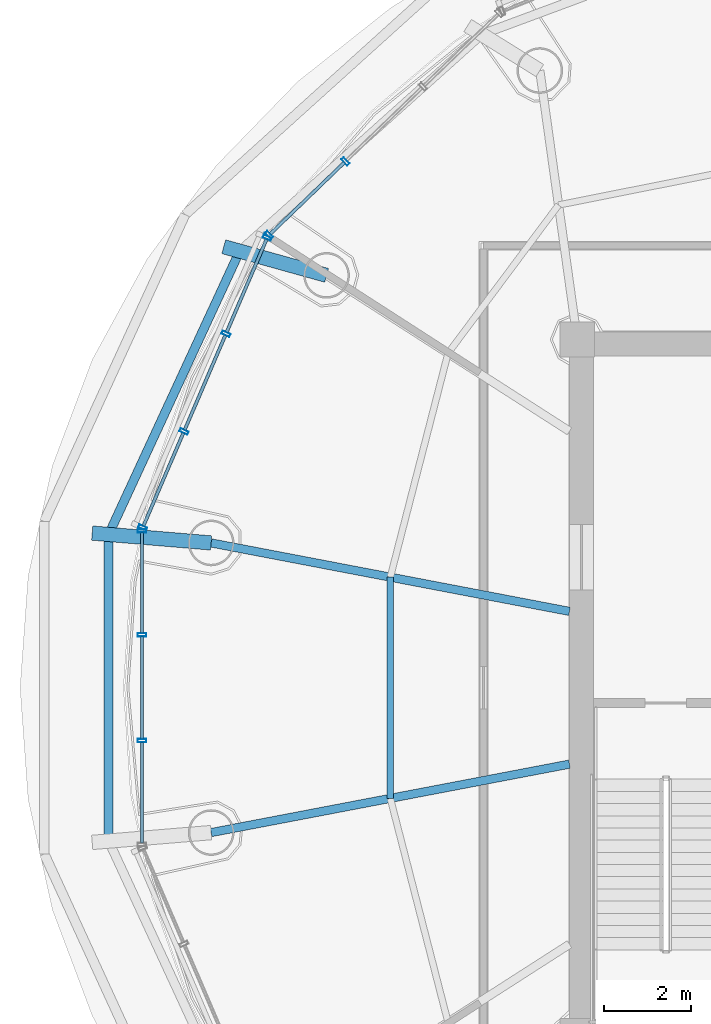
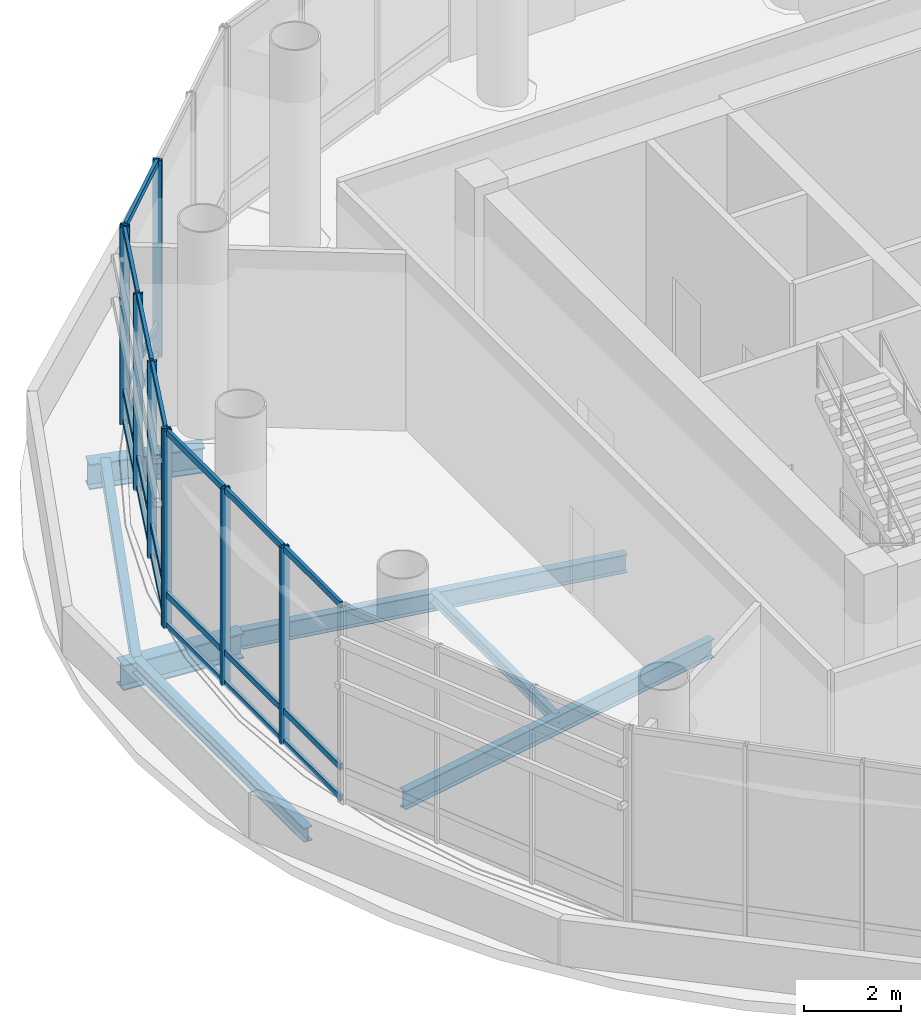
# One storey, part 6 of 22: 30 members, 7 beams, 3 elements without a shape of their own.
"""IFC4 building model written with IfcOpenShell, lengths in metres."""

from ifc_helpers import new_model, si_unit, direction, frame, origin, origin_2d, place, context, subcontext, project, spatial, hollow_rectangle, i_section, extrude, source, transform, mapped, material, material_profile, profile_set, type_object, element, aggregate, save


model = new_model("IFC4")

# Units and contexts
model_context = context("Model", 3, precision=1e-05, world=origin(), true_north=direction((-0.2419218956, 0.970295726276)))
body_context = subcontext(model_context, "Body", "Model", "MODEL_VIEW")
ifc_project = project(units=[si_unit("LENGTHUNIT", "METRE"), si_unit("AREAUNIT", "SQUARE_METRE"), si_unit("VOLUMEUNIT", "CUBIC_METRE"), si_unit("PLANEANGLEUNIT", "RADIAN"), si_unit("MASSUNIT", "GRAM", prefix="KILO")], contexts=[model_context])

# Site, building, storey
site_placement = place(None, origin())
site = spatial("IfcSite", under=ifc_project, at=site_placement, CompositionType="ELEMENT")
building_placement = place(site_placement, origin())
building = spatial("IfcBuilding", under=site, at=building_placement, Name="Cobrevalo Terracotta Tower", CompositionType="ELEMENT")
storey_placement = place(building_placement, frame((0.0, 0.0, 243.0)))
storey = spatial("IfcBuildingStorey", under=building, at=storey_placement, Name="L64", CompositionType="ELEMENT", Elevation=243.0)

# Beams
ifc_material_1 = material(Name="Steel S355", Category="steel")
ifc_material_profile_1 = material_profile(ifc_material_1, i_section(OverallWidth=0.19091796875, OverallDepth=0.4599609375, WebThickness=0.010009765625, FlangeThickness=0.01611328125, at=origin_2d()), Name="W 460x82")
ifc_profile_set_1 = profile_set([ifc_material_profile_1], Name="Steel S355")
beam_type_1 = type_object("IfcBeamType", Name="Structural Beam W 460x82 (Steel S355)", PredefinedType="BEAM", material=ifc_profile_set_1)
for number, where, z_axis, x_axis, name in (
    (1, (20.591064453125, 30.126220703125, -0.679931640625), (0.982232301454, -0.18766913966, 0.0), (0.18766913966, 0.982232301454, 0.0), "L64 radial floor girder 08"),
    (2, (20.591064453125, 23.4736328125, -0.679931640625), (0.982232301454, 0.18766913966, 0.0), (-0.18766913966, 0.982232301454, 0.0), "L64 radial floor girder 09"),
):
    element("IfcBeam", number, at=place(storey_placement, frame(where, z_axis=z_axis, x_axis=x_axis)), inside=storey, type_object=beam_type_1, Name=name, PredefinedType="BEAM", context=body_context, shape_type="SweptSolid", body=[
        extrude(i_section(OverallWidth=0.19091796875, OverallDepth=0.4599609375, WebThickness=0.010009765625, FlangeThickness=0.01611328125, at=origin_2d()), origin(), (0.0, 0.0, 1.0), 8.3779296875),
    ])
ifc_material_profile_2 = material_profile(ifc_material_1, i_section(OverallWidth=0.3291015625, OverallDepth=0.635009765625, WebThickness=0.017822265625, FlangeThickness=0.031005859375, at=origin_2d()), Name="W 610x241")
ifc_profile_set_2 = profile_set([ifc_material_profile_2], Name="Steel S355")
beam_type_2 = type_object("IfcBeamType", Name="Structural Beam W 610x241 (Steel S355)", PredefinedType="BEAM", material=ifc_profile_set_2)
beam_1_placement = place(storey_placement, frame((20.8798828125, 36.929931640625, -0.767578125), z_axis=(0.963362222212, -0.268203707683, 0.0), x_axis=(0.268203707683, 0.963362222212, 0.0)))
element("IfcBeam", 3, at=beam_1_placement, inside=storey, type_object=beam_type_2, Name="L64 setback step-link girder 07", PredefinedType="BEAM", context=body_context, shape_type="SweptSolid", body=[
    extrude(i_section(OverallWidth=0.3291015625, OverallDepth=0.635009765625, WebThickness=0.017822265625, FlangeThickness=0.031005859375, at=origin_2d()), origin(), (0.0, 0.0, 1.0), 2.451416015625),
])
beam_2_placement = place(storey_placement, frame((17.8583984375, 30.352783203125, -0.767578125), z_axis=(0.996580670121, -0.08262546787, 0.0), x_axis=(0.08262546787, 0.996580670121, 0.0)))
element("IfcBeam", 4, at=beam_2_placement, inside=storey, type_object=beam_type_2, Name="L64 setback step-link girder 08", PredefinedType="BEAM", context=body_context, shape_type="SweptSolid", body=[
    extrude(i_section(OverallWidth=0.3291015625, OverallDepth=0.635009765625, WebThickness=0.017822265625, FlangeThickness=0.031005859375, at=origin_2d()), origin(), (0.0, 0.0, 1.0), 2.741943359375),
])
ifc_material_profile_3 = material_profile(ifc_material_1, i_section(OverallWidth=0.14794921875, OverallDepth=0.26611328125, WebThickness=0.007568359375, FlangeThickness=0.012939453125, at=origin_2d()), Name="W 250x44.8")
ifc_profile_set_3 = profile_set([ifc_material_profile_3], Name="Steel S355")
beam_type_3 = type_object("IfcBeamType", Name="Structural Joist W 250x44.8 (Steel S355)", PredefinedType="JOIST", material=ifc_profile_set_3)
beam_3_placement = place(storey_placement, frame((24.70556640625, 29.340087890625, -0.5830078125), z_axis=(0.0, -1.0, 0.0), x_axis=(1.0, 0.0, 0.0)))
element("IfcBeam", 5, at=beam_3_placement, inside=storey, type_object=beam_type_3, Name="L64 circumferential secondary floor joist 08", PredefinedType="JOIST", context=body_context, shape_type="SweptSolid", body=[
    extrude(i_section(OverallWidth=0.14794921875, OverallDepth=0.26611328125, WebThickness=0.007568359375, FlangeThickness=0.012939453125, at=origin_2d()), origin(), (0.0, 0.0, 1.0), 5.080322265625),
])
ifc_material_profile_4 = material_profile(ifc_material_1, i_section(OverallWidth=0.205078125, OverallDepth=0.35400390625, WebThickness=0.009521484375, FlangeThickness=0.016845703125, at=origin_2d()), Name="W 360x79")
ifc_profile_set_4 = profile_set([ifc_material_profile_4], Name="Steel S355")
beam_type_4 = type_object("IfcBeamType", Name="Structural Spandrel W 360x79 (Steel S355)", PredefinedType="SPANDREL", material=ifc_profile_set_4)
beam_4_placement = place(storey_placement, frame((21.245849609375, 36.828125, -0.626953125), z_axis=(-0.419705965131, -0.907660125176, 0.0), x_axis=(0.907660125176, -0.419705965131, 0.0)))
element("IfcBeam", 6, at=beam_4_placement, inside=storey, type_object=beam_type_4, Name="L64 perimeter ring spandrel 07", PredefinedType="SPANDREL", context=body_context, shape_type="SweptSolid", body=[
    extrude(i_section(OverallWidth=0.205078125, OverallDepth=0.35400390625, WebThickness=0.009521484375, FlangeThickness=0.016845703125, at=origin_2d()), origin(), (0.0, 0.0, 1.0), 7.168701171875),
])
beam_5_placement = place(storey_placement, frame((18.237060546875, 30.3212890625, -0.626953125), z_axis=(0.0, -1.0, 0.0), x_axis=(1.0, 0.0, 0.0)))
element("IfcBeam", 7, at=beam_5_placement, inside=storey, type_object=beam_type_4, Name="L64 perimeter ring spandrel 08", PredefinedType="SPANDREL", context=body_context, shape_type="SweptSolid", body=[
    extrude(i_section(OverallWidth=0.205078125, OverallDepth=0.35400390625, WebThickness=0.009521484375, FlangeThickness=0.016845703125, at=origin_2d()), origin(), (0.0, 0.0, 1.0), 7.042724609375),
])

# Curtain wall, members
ifc_material_2 = material(Name="Anodized aluminium", Category="aluminium")
curtain_wall_type = type_object("IfcCurtainWallType", Name="Double-height sky-lobby panoramic curtain wall CW-SK", PredefinedType="NOTDEFINED", material=ifc_material_2)
curtain_wall_1_placement = place(storey_placement, origin())
curtain_wall_1 = element("IfcCurtainWall", 8, at=curtain_wall_1_placement, inside=storey, type_object=curtain_wall_type, Name="L64 curtain wall CW-SK-L64-S06", PredefinedType="NOTDEFINED")
ifc_material_profile_5 = material_profile(ifc_material_2, hollow_rectangle(XDim=0.074951171875, YDim=0.199951171875, WallThickness=0.0048828125, at=origin_2d()), Name="CWM 75x200")
ifc_profile_set_5 = profile_set([ifc_material_profile_5], Name="Anodized aluminium")
member_type_1 = type_object("IfcMemberType", Name="Lower/mid tower unitised mullion 75x200", PredefinedType="MULLION", material=ifc_profile_set_5)
shared_shape_1 = source(origin(), body_context, "Body", "SweptSolid", [
    extrude(hollow_rectangle(XDim=0.074951171875, YDim=0.199951171875, WallThickness=0.0048828125, at=origin_2d()), origin(), (0.0, 0.0, 1.0), 4.93994140625),
])
member_1_placement = place(storey_placement, frame((23.67578125, 38.889404296875, 0.0), z_axis=(0.0, 0.0, 1.0), x_axis=(-0.71999418085, -0.69398010025, 0.0)))
member_1 = element("IfcMember", 9, at=member_1_placement, type_object=member_type_1, Name="CW-SK-L64-S06 vertical mullion 03", PredefinedType="MULLION", context=body_context, shape_type="MappedRepresentation", body=[
    mapped(shared_shape_1, transform((0.0, 0.0, 0.0), scale=1.0)),
])
member_2_placement = place(storey_placement, frame((21.92333984375, 37.2001953125, 0.0), z_axis=(0.0, 0.0, 1.0), x_axis=(-0.71999418085, -0.69398010025, 0.0)))
member_2 = element("IfcMember", 10, at=member_2_placement, type_object=member_type_1, Name="CW-SK-L64-S06 vertical mullion 04", PredefinedType="MULLION", context=body_context, shape_type="MappedRepresentation", body=[
    mapped(shared_shape_1, transform((0.0, 0.0, 0.0), scale=1.0)),
])

curtain_wall_2_placement = place(storey_placement, origin())
curtain_wall_2 = element("IfcCurtainWall", 11, at=curtain_wall_2_placement, inside=storey, type_object=curtain_wall_type, Name="L64 curtain wall CW-SK-L64-S07", PredefinedType="NOTDEFINED")
member_3_placement = place(storey_placement, frame((21.878662109375, 37.1357421875, 0.0), z_axis=(0.0, 0.0, 1.0), x_axis=(-0.39482403454, -0.91875675875, 0.0)))
member_3 = element("IfcMember", 12, at=member_3_placement, type_object=member_type_1, Name="CW-SK-L64-S07 vertical mullion 01", PredefinedType="MULLION", context=body_context, shape_type="MappedRepresentation", body=[
    mapped(shared_shape_1, transform((0.0, 0.0, 0.0), scale=1.0)),
])
member_4_placement = place(storey_placement, frame((20.930419921875, 34.92919921875, 0.0), z_axis=(0.0, 0.0, 1.0), x_axis=(-0.39482403454, -0.91875675875, 0.0)))
member_4 = element("IfcMember", 13, at=member_4_placement, type_object=member_type_1, Name="CW-SK-L64-S07 vertical mullion 02", PredefinedType="MULLION", context=body_context, shape_type="MappedRepresentation", body=[
    mapped(shared_shape_1, transform((0.0, 0.0, 0.0), scale=1.0)),
])
member_5_placement = place(storey_placement, frame((19.96630859375, 32.685791015625, 0.0), z_axis=(0.0, 0.0, 1.0), x_axis=(-0.39482403454, -0.91875675875, 0.0)))
member_5 = element("IfcMember", 14, at=member_5_placement, type_object=member_type_1, Name="CW-SK-L64-S07 vertical mullion 03", PredefinedType="MULLION", context=body_context, shape_type="MappedRepresentation", body=[
    mapped(shared_shape_1, transform((0.0, 0.0, 0.0), scale=1.0)),
])
member_6_placement = place(storey_placement, frame((19.01806640625, 30.47900390625, 0.0), z_axis=(0.0, 0.0, 1.0), x_axis=(-0.39482403454, -0.91875675875, 0.0)))
member_6 = element("IfcMember", 15, at=member_6_placement, type_object=member_type_1, Name="CW-SK-L64-S07 vertical mullion 04", PredefinedType="MULLION", context=body_context, shape_type="MappedRepresentation", body=[
    mapped(shared_shape_1, transform((0.0, 0.0, 0.0), scale=1.0)),
])

curtain_wall_3_placement = place(storey_placement, origin())
curtain_wall_3 = element("IfcCurtainWall", 16, at=curtain_wall_3_placement, inside=storey, type_object=curtain_wall_type, Name="L64 curtain wall CW-SK-L64-S08", PredefinedType="NOTDEFINED")
member_7_placement = place(storey_placement, frame((19.002197265625, 30.40234375, 0.0), z_axis=(0.0, 0.0, 1.0), x_axis=(0.0, -1.0, 0.0)))
member_7 = element("IfcMember", 17, at=member_7_placement, type_object=member_type_1, Name="CW-SK-L64-S08 vertical mullion 01", PredefinedType="MULLION", context=body_context, shape_type="MappedRepresentation", body=[
    mapped(shared_shape_1, transform((0.0, 0.0, 0.0), scale=1.0)),
])
member_8_placement = place(storey_placement, frame((19.002197265625, 28.01416015625, 0.0), z_axis=(0.0, 0.0, 1.0), x_axis=(0.0, -1.0, 0.0)))
member_8 = element("IfcMember", 18, at=member_8_placement, type_object=member_type_1, Name="CW-SK-L64-S08 vertical mullion 02", PredefinedType="MULLION", context=body_context, shape_type="MappedRepresentation", body=[
    mapped(shared_shape_1, transform((0.0, 0.0, 0.0), scale=1.0)),
])
member_9_placement = place(storey_placement, frame((19.002197265625, 25.5859375, 0.0), z_axis=(0.0, 0.0, 1.0), x_axis=(0.0, -1.0, 0.0)))
member_9 = element("IfcMember", 19, at=member_9_placement, type_object=member_type_1, Name="CW-SK-L64-S08 vertical mullion 03", PredefinedType="MULLION", context=body_context, shape_type="MappedRepresentation", body=[
    mapped(shared_shape_1, transform((0.0, 0.0, 0.0), scale=1.0)),
])

# Member
ifc_material_profile_6 = material_profile(ifc_material_2, hollow_rectangle(XDim=0.074951171875, YDim=0.14990234375, WallThickness=0.00439453125, at=origin_2d()), Name="CWT 75x150")
ifc_profile_set_6 = profile_set([ifc_material_profile_6], Name="Anodized aluminium")
member_type_2 = type_object("IfcMemberType", Name="Tower unitised aluminium transom 75x150", PredefinedType="USERDEFINED", material=ifc_profile_set_6)
shared_shape_2 = source(origin(), body_context, "Body", "SweptSolid", [
    extrude(hollow_rectangle(XDim=0.074951171875, YDim=0.14990234375, WallThickness=0.00439453125, at=origin_2d()), origin(), (0.0, 0.0, 1.0), 2.32177734375),
])
member_10_placement = place(storey_placement, frame((21.86279296875, 37.098876953125, 0.050048828125), z_axis=(-0.394858238772, -0.918742059162, 0.0), x_axis=(0.918742059162, -0.394858238772, 0.0)))
member_10 = element("IfcMember", 20, at=member_10_placement, type_object=member_type_2, Name="CW-SK-L64-S07 transom B01-T1", ObjectType="TRANSOM", PredefinedType="USERDEFINED", context=body_context, shape_type="MappedRepresentation", body=[
    mapped(shared_shape_2, transform((0.0, 0.0, 0.0), scale=1.0)),
])

member_11_placement = place(storey_placement, frame((21.86279296875, 37.098876953125, 0.820068359375), z_axis=(-0.394858238772, -0.918742059162, 0.0), x_axis=(0.918742059162, -0.394858238772, 0.0)))
member_11 = element("IfcMember", 21, at=member_11_placement, type_object=member_type_2, Name="CW-SK-L64-S07 transom B01-T2", ObjectType="TRANSOM", PredefinedType="USERDEFINED", context=body_context, shape_type="MappedRepresentation", body=[
    mapped(shared_shape_2, transform((0.0, 0.0, 0.0), scale=1.0)),
])

member_12_placement = place(storey_placement, frame((21.86279296875, 37.098876953125, 4.889892578125), z_axis=(-0.394858238772, -0.918742059162, 0.0), x_axis=(0.918742059162, -0.394858238772, 0.0)))
member_12 = element("IfcMember", 22, at=member_12_placement, type_object=member_type_2, Name="CW-SK-L64-S07 transom B01-T3", ObjectType="TRANSOM", PredefinedType="USERDEFINED", context=body_context, shape_type="MappedRepresentation", body=[
    mapped(shared_shape_2, transform((0.0, 0.0, 0.0), scale=1.0)),
])

member_13_placement = place(storey_placement, frame((19.950439453125, 32.64892578125, 0.050048828125), z_axis=(-0.394858238772, -0.918742059162, 0.0), x_axis=(0.918742059162, -0.394858238772, 0.0)))
member_13 = element("IfcMember", 23, at=member_13_placement, type_object=member_type_2, Name="CW-SK-L64-S07 transom B03-T1", ObjectType="TRANSOM", PredefinedType="USERDEFINED", context=body_context, shape_type="MappedRepresentation", body=[
    mapped(shared_shape_2, transform((0.0, 0.0, 0.0), scale=1.0)),
])

member_14_placement = place(storey_placement, frame((19.950439453125, 32.64892578125, 0.820068359375), z_axis=(-0.394858238772, -0.918742059162, 0.0), x_axis=(0.918742059162, -0.394858238772, 0.0)))
member_14 = element("IfcMember", 24, at=member_14_placement, type_object=member_type_2, Name="CW-SK-L64-S07 transom B03-T2", ObjectType="TRANSOM", PredefinedType="USERDEFINED", context=body_context, shape_type="MappedRepresentation", body=[
    mapped(shared_shape_2, transform((0.0, 0.0, 0.0), scale=1.0)),
])

member_15_placement = place(storey_placement, frame((19.950439453125, 32.64892578125, 4.889892578125), z_axis=(-0.394858238772, -0.918742059162, 0.0), x_axis=(0.918742059162, -0.394858238772, 0.0)))
member_15 = element("IfcMember", 25, at=member_15_placement, type_object=member_type_2, Name="CW-SK-L64-S07 transom B03-T3", ObjectType="TRANSOM", PredefinedType="USERDEFINED", context=body_context, shape_type="MappedRepresentation", body=[
    mapped(shared_shape_2, transform((0.0, 0.0, 0.0), scale=1.0)),
])

shared_shape_3 = source(origin(), body_context, "Body", "SweptSolid", [
    extrude(hollow_rectangle(XDim=0.074951171875, YDim=0.14990234375, WallThickness=0.00439453125, at=origin_2d()), origin(), (0.0, 0.0, 1.0), 2.36181640625),
])
member_16_placement = place(storey_placement, frame((20.91455078125, 34.892333984375, 0.050048828125), z_axis=(-0.394779970074, -0.918775693642, 0.0), x_axis=(0.918775693642, -0.394779970074, 0.0)))
member_16 = element("IfcMember", 26, at=member_16_placement, type_object=member_type_2, Name="CW-SK-L64-S07 transom B02-T1", ObjectType="TRANSOM", PredefinedType="USERDEFINED", context=body_context, shape_type="MappedRepresentation", body=[
    mapped(shared_shape_3, transform((0.0, 0.0, 0.0), scale=1.0)),
])

member_17_placement = place(storey_placement, frame((20.91455078125, 34.892333984375, 0.820068359375), z_axis=(-0.394779970074, -0.918775693642, 0.0), x_axis=(0.918775693642, -0.394779970074, 0.0)))
member_17 = element("IfcMember", 27, at=member_17_placement, type_object=member_type_2, Name="CW-SK-L64-S07 transom B02-T2", ObjectType="TRANSOM", PredefinedType="USERDEFINED", context=body_context, shape_type="MappedRepresentation", body=[
    mapped(shared_shape_3, transform((0.0, 0.0, 0.0), scale=1.0)),
])

member_18_placement = place(storey_placement, frame((20.91455078125, 34.892333984375, 4.889892578125), z_axis=(-0.394779970074, -0.918775693642, 0.0), x_axis=(0.918775693642, -0.394779970074, 0.0)))
member_18 = element("IfcMember", 28, at=member_18_placement, type_object=member_type_2, Name="CW-SK-L64-S07 transom B02-T3", ObjectType="TRANSOM", PredefinedType="USERDEFINED", context=body_context, shape_type="MappedRepresentation", body=[
    mapped(shared_shape_3, transform((0.0, 0.0, 0.0), scale=1.0)),
])

aggregate(curtain_wall_2, [member_3, member_4, member_5, member_6, member_10, member_11, member_12, member_16, member_17, member_18, member_13, member_14, member_15])

shared_shape_4 = source(origin(), body_context, "Body", "SweptSolid", [
    extrude(hollow_rectangle(XDim=0.074951171875, YDim=0.14990234375, WallThickness=0.00439453125, at=origin_2d()), origin(), (0.0, 0.0, 1.0), 2.35400390625),
])
member_19_placement = place(storey_placement, frame((23.64697265625, 38.86181640625, 0.050048828125), z_axis=(-0.719951629272, -0.694024244179, 0.0), x_axis=(0.694024244179, -0.719951629272, 0.0)))
member_19 = element("IfcMember", 29, at=member_19_placement, type_object=member_type_2, Name="CW-SK-L64-S06 transom B03-T1", ObjectType="TRANSOM", PredefinedType="USERDEFINED", context=body_context, shape_type="MappedRepresentation", body=[
    mapped(shared_shape_4, transform((0.0, 0.0, 0.0), scale=1.0)),
])

member_20_placement = place(storey_placement, frame((23.64697265625, 38.86181640625, 0.820068359375), z_axis=(-0.719951629272, -0.694024244179, 0.0), x_axis=(0.694024244179, -0.719951629272, 0.0)))
member_20 = element("IfcMember", 30, at=member_20_placement, type_object=member_type_2, Name="CW-SK-L64-S06 transom B03-T2", ObjectType="TRANSOM", PredefinedType="USERDEFINED", context=body_context, shape_type="MappedRepresentation", body=[
    mapped(shared_shape_4, transform((0.0, 0.0, 0.0), scale=1.0)),
])

member_21_placement = place(storey_placement, frame((23.64697265625, 38.86181640625, 4.889892578125), z_axis=(-0.719951629272, -0.694024244179, 0.0), x_axis=(0.694024244179, -0.719951629272, 0.0)))
member_21 = element("IfcMember", 31, at=member_21_placement, type_object=member_type_2, Name="CW-SK-L64-S06 transom B03-T3", ObjectType="TRANSOM", PredefinedType="USERDEFINED", context=body_context, shape_type="MappedRepresentation", body=[
    mapped(shared_shape_4, transform((0.0, 0.0, 0.0), scale=1.0)),
])

aggregate(curtain_wall_1, [member_1, member_2, member_19, member_20, member_21])

shared_shape_5 = source(origin(), body_context, "Body", "SweptSolid", [
    extrude(hollow_rectangle(XDim=0.074951171875, YDim=0.14990234375, WallThickness=0.00439453125, at=origin_2d()), origin(), (0.0, 0.0, 1.0), 2.30810546875),
])
member_22_placement = place(storey_placement, frame((19.002197265625, 30.3623046875, 0.050048828125), z_axis=(0.0, -1.0, 0.0), x_axis=(1.0, 0.0, 0.0)))
member_22 = element("IfcMember", 32, at=member_22_placement, type_object=member_type_2, Name="CW-SK-L64-S08 transom B01-T1", ObjectType="TRANSOM", PredefinedType="USERDEFINED", context=body_context, shape_type="MappedRepresentation", body=[
    mapped(shared_shape_5, transform((0.0, 0.0, 0.0), scale=1.0)),
])

member_23_placement = place(storey_placement, frame((19.002197265625, 30.3623046875, 0.820068359375), z_axis=(0.0, -1.0, 0.0), x_axis=(1.0, 0.0, 0.0)))
member_23 = element("IfcMember", 33, at=member_23_placement, type_object=member_type_2, Name="CW-SK-L64-S08 transom B01-T2", ObjectType="TRANSOM", PredefinedType="USERDEFINED", context=body_context, shape_type="MappedRepresentation", body=[
    mapped(shared_shape_5, transform((0.0, 0.0, 0.0), scale=1.0)),
])

member_24_placement = place(storey_placement, frame((19.002197265625, 30.3623046875, 4.889892578125), z_axis=(0.0, -1.0, 0.0), x_axis=(1.0, 0.0, 0.0)))
member_24 = element("IfcMember", 34, at=member_24_placement, type_object=member_type_2, Name="CW-SK-L64-S08 transom B01-T3", ObjectType="TRANSOM", PredefinedType="USERDEFINED", context=body_context, shape_type="MappedRepresentation", body=[
    mapped(shared_shape_5, transform((0.0, 0.0, 0.0), scale=1.0)),
])

shared_shape_6 = source(origin(), body_context, "Body", "SweptSolid", [
    extrude(hollow_rectangle(XDim=0.074951171875, YDim=0.14990234375, WallThickness=0.00439453125, at=origin_2d()), origin(), (0.0, 0.0, 1.0), 2.34814453125),
])
member_25_placement = place(storey_placement, frame((19.002197265625, 27.97412109375, 0.050048828125), z_axis=(0.0, -1.0, 0.0), x_axis=(1.0, 0.0, 0.0)))
member_25 = element("IfcMember", 35, at=member_25_placement, type_object=member_type_2, Name="CW-SK-L64-S08 transom B02-T1", ObjectType="TRANSOM", PredefinedType="USERDEFINED", context=body_context, shape_type="MappedRepresentation", body=[
    mapped(shared_shape_6, transform((0.0, 0.0, 0.0), scale=1.0)),
])

member_26_placement = place(storey_placement, frame((19.002197265625, 27.97412109375, 0.820068359375), z_axis=(0.0, -1.0, 0.0), x_axis=(1.0, 0.0, 0.0)))
member_26 = element("IfcMember", 36, at=member_26_placement, type_object=member_type_2, Name="CW-SK-L64-S08 transom B02-T2", ObjectType="TRANSOM", PredefinedType="USERDEFINED", context=body_context, shape_type="MappedRepresentation", body=[
    mapped(shared_shape_6, transform((0.0, 0.0, 0.0), scale=1.0)),
])

member_27_placement = place(storey_placement, frame((19.002197265625, 27.97412109375, 4.889892578125), z_axis=(0.0, -1.0, 0.0), x_axis=(1.0, 0.0, 0.0)))
member_27 = element("IfcMember", 37, at=member_27_placement, type_object=member_type_2, Name="CW-SK-L64-S08 transom B02-T3", ObjectType="TRANSOM", PredefinedType="USERDEFINED", context=body_context, shape_type="MappedRepresentation", body=[
    mapped(shared_shape_6, transform((0.0, 0.0, 0.0), scale=1.0)),
])

shared_shape_7 = source(origin(), body_context, "Body", "SweptSolid", [
    extrude(hollow_rectangle(XDim=0.074951171875, YDim=0.14990234375, WallThickness=0.00439453125, at=origin_2d()), origin(), (0.0, 0.0, 1.0), 2.308349609375),
])
member_28_placement = place(storey_placement, frame((19.002197265625, 25.5458984375, 0.050048828125), z_axis=(0.0, -1.0, 0.0), x_axis=(1.0, 0.0, 0.0)))
member_28 = element("IfcMember", 38, at=member_28_placement, type_object=member_type_2, Name="CW-SK-L64-S08 transom B03-T1", ObjectType="TRANSOM", PredefinedType="USERDEFINED", context=body_context, shape_type="MappedRepresentation", body=[
    mapped(shared_shape_7, transform((0.0, 0.0, 0.0), scale=1.0)),
])

member_29_placement = place(storey_placement, frame((19.002197265625, 25.5458984375, 0.820068359375), z_axis=(0.0, -1.0, 0.0), x_axis=(1.0, 0.0, 0.0)))
member_29 = element("IfcMember", 39, at=member_29_placement, type_object=member_type_2, Name="CW-SK-L64-S08 transom B03-T2", ObjectType="TRANSOM", PredefinedType="USERDEFINED", context=body_context, shape_type="MappedRepresentation", body=[
    mapped(shared_shape_7, transform((0.0, 0.0, 0.0), scale=1.0)),
])

member_30_placement = place(storey_placement, frame((19.002197265625, 25.5458984375, 4.889892578125), z_axis=(0.0, -1.0, 0.0), x_axis=(1.0, 0.0, 0.0)))
member_30 = element("IfcMember", 40, at=member_30_placement, type_object=member_type_2, Name="CW-SK-L64-S08 transom B03-T3", ObjectType="TRANSOM", PredefinedType="USERDEFINED", context=body_context, shape_type="MappedRepresentation", body=[
    mapped(shared_shape_7, transform((0.0, 0.0, 0.0), scale=1.0)),
])

aggregate(curtain_wall_3, [member_7, member_8, member_9, member_22, member_23, member_24, member_25, member_26, member_27, member_28, member_29, member_30])

save(model, "model.ifc")
